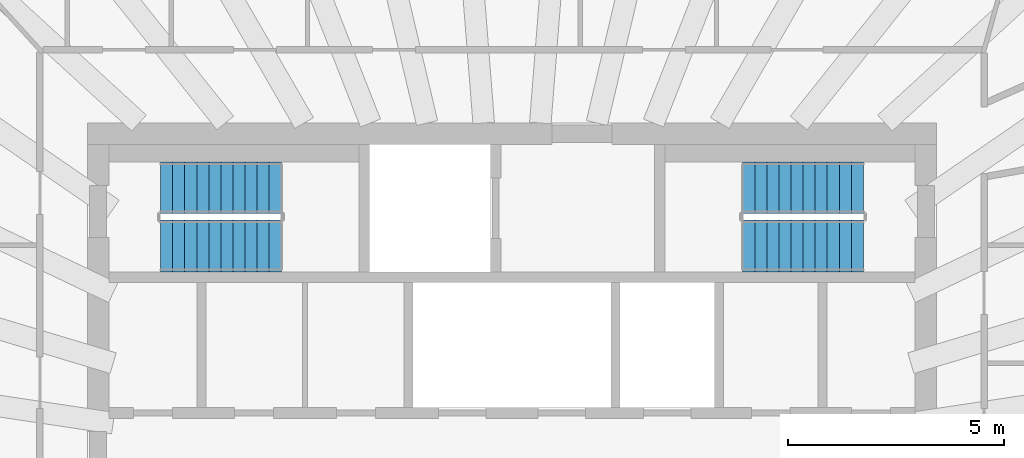
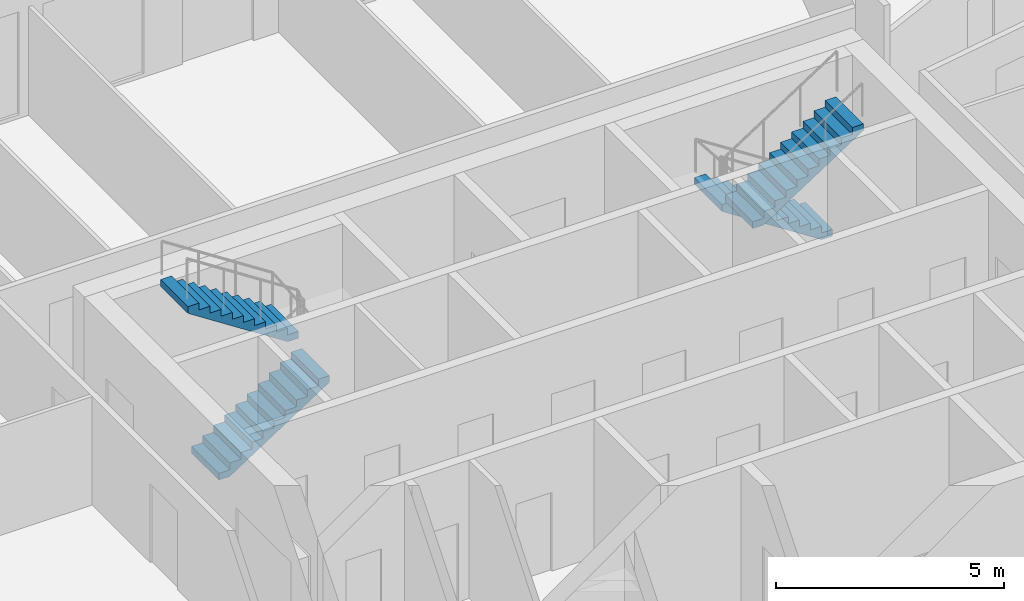
# One storey, part 8 of 13: 4 stair flights, 2 elements without a shape of their own.
"""IFC4 building model written with IfcOpenShell, lengths in metres."""

from ifc_helpers import new_model, si_unit, direction, frame, origin, place, context, subcontext, project, spatial, polyline, outline, extrude, material, layer, layer_set, type_object, element, aggregate, save


model = new_model("IFC4")

# Units and contexts
model_context = context("Model", 3, precision=1e-05, world=origin(), true_north=direction((0.0, 1.0)))
body_context = subcontext(model_context, "Body", "Model", "MODEL_VIEW")
ifc_project = project(units=[si_unit("LENGTHUNIT", "METRE"), si_unit("AREAUNIT", "SQUARE_METRE"), si_unit("VOLUMEUNIT", "CUBIC_METRE"), si_unit("PLANEANGLEUNIT", "RADIAN"), si_unit("MASSUNIT", "GRAM", prefix="KILO")], contexts=[model_context])

# Site, building, storey
site_placement = place(None, origin())
site = spatial("IfcSite", under=ifc_project, at=site_placement, CompositionType="ELEMENT")
building_placement = place(site_placement, origin())
building = spatial("IfcBuilding", under=site, at=building_placement, Name="Frailejon Research Tower", CompositionType="ELEMENT")
storey_placement = place(building_placement, frame((0.0, 0.0, 263.0)))
storey = spatial("IfcBuildingStorey", under=building, at=storey_placement, Name="L57", CompositionType="ELEMENT", Elevation=263.0)

# Stair, stair flights
ifc_material_1 = material(Name="Concrete C50/60", Category="concrete")
stair_type = type_object("IfcStairType", Name="Exit stair 22 risers", PredefinedType="HALF_TURN_STAIR", material=ifc_material_1)
stair_1_placement = place(storey_placement, origin())
stair_1 = element("IfcStair", 1, at=stair_1_placement, inside=storey, type_object=stair_type, Name="L57 Exit stair ST1", PredefinedType="HALF_TURN_STAIR")
ifc_material_2 = material(Name="Concrete C50/60", Category="concrete")
ifc_layer = layer(ifc_material_2, 0.14990234375)
ifc_layer_set = layer_set([ifc_layer], Name="Stair flight 11 risers")
stair_flight_type = type_object("IfcStairFlightType", Name="Stair flight 11 risers", PredefinedType="STRAIGHT", material=ifc_layer_set)
stair_flight_1_placement = place(storey_placement, frame((-8.14990234375, 5.5, 0.0), z_axis=(0.0, 0.0, 1.0), x_axis=(1.0, 0.0, 0.0)))
stair_flight_1 = element("IfcStairFlight", 2, at=stair_flight_1_placement, type_object=stair_flight_type, Name="ST1 flight 1", NumberOfRisers=11, NumberOfTreads=10, PredefinedType="STRAIGHT", RiserHeight=0.181818182, TreadLength=0.28, context=body_context, shape_type="SweptSolid", body=[
    extrude(outline(polyline([(0.0, 0.0), (0.0, 0.181884765625), (0.280029296875, 0.181884765625), (0.280029296875, 0.363525390625), (0.56005859375, 0.363525390625), (0.56005859375, 0.54541015625), (0.840087890625, 0.54541015625), (0.840087890625, 0.727294921875), (1.1201171875, 0.727294921875), (1.1201171875, 0.9091796875), (1.39990234375, 0.9091796875), (1.39990234375, 1.0908203125), (1.679931640625, 1.0908203125), (1.679931640625, 1.272705078125), (1.9599609375, 1.272705078125), (1.9599609375, 1.45458984375), (2.239990234375, 1.45458984375), (2.239990234375, 1.636474609375), (2.52001953125, 1.636474609375), (2.52001953125, 1.818115234375), (2.800048828125, 1.818115234375), (2.800048828125, 2.0), (2.800048828125, 1.639404296875), (0.275146484375, 0.0), (0.0, 0.0)])), frame((0.0, 0.60009765625, 0.0), z_axis=(0.0, -1.0, 0.0), x_axis=(1.0, 0.0, 0.0)), (0.0, 0.0, 1.0), 1.199951171875),
])
stair_flight_2_placement = place(storey_placement, frame((-5.35009765625, 6.85009765625, 2.0), z_axis=(0.0, 0.0, 1.0), x_axis=(-1.0, 0.0, 0.0)))
stair_flight_2 = element("IfcStairFlight", 3, at=stair_flight_2_placement, type_object=stair_flight_type, Name="ST1 flight 2", NumberOfRisers=11, NumberOfTreads=10, PredefinedType="STRAIGHT", RiserHeight=0.181818182, TreadLength=0.28, context=body_context, shape_type="SweptSolid", body=[
    extrude(outline(polyline([(0.0, 0.0), (0.0, 0.181884765625), (0.280029296875, 0.181884765625), (0.280029296875, 0.363525390625), (0.56005859375, 0.363525390625), (0.56005859375, 0.54541015625), (0.840087890625, 0.54541015625), (0.840087890625, 0.727294921875), (1.1201171875, 0.727294921875), (1.1201171875, 0.9091796875), (1.39990234375, 0.9091796875), (1.39990234375, 1.0908203125), (1.679931640625, 1.0908203125), (1.679931640625, 1.272705078125), (1.9599609375, 1.272705078125), (1.9599609375, 1.45458984375), (2.239990234375, 1.45458984375), (2.239990234375, 1.636474609375), (2.52001953125, 1.636474609375), (2.52001953125, 1.818115234375), (2.800048828125, 1.818115234375), (2.800048828125, 2.0), (2.800048828125, 1.639404296875), (0.275146484375, 0.0), (0.0, 0.0)])), frame((0.0, 0.60009765625, 0.0), z_axis=(0.0, -1.0, 0.0), x_axis=(1.0, 0.0, 0.0)), (0.0, 0.0, 1.0), 1.199951171875),
])
aggregate(stair_1, [stair_flight_1, stair_flight_2])

stair_2_placement = place(storey_placement, origin())
stair_2 = element("IfcStair", 4, at=stair_2_placement, inside=storey, type_object=stair_type, Name="L57 Exit stair ST3", PredefinedType="HALF_TURN_STAIR")
stair_flight_3_placement = place(storey_placement, frame((8.14990234375, 6.85009765625, 0.0), z_axis=(0.0, 0.0, 1.0), x_axis=(-1.0, 0.0, 0.0)))
stair_flight_3 = element("IfcStairFlight", 5, at=stair_flight_3_placement, type_object=stair_flight_type, Name="ST3 flight 1", NumberOfRisers=11, NumberOfTreads=10, PredefinedType="STRAIGHT", RiserHeight=0.181818182, TreadLength=0.28, context=body_context, shape_type="SweptSolid", body=[
    extrude(outline(polyline([(0.0, 0.0), (0.0, 0.181884765625), (0.280029296875, 0.181884765625), (0.280029296875, 0.363525390625), (0.56005859375, 0.363525390625), (0.56005859375, 0.54541015625), (0.840087890625, 0.54541015625), (0.840087890625, 0.727294921875), (1.1201171875, 0.727294921875), (1.1201171875, 0.9091796875), (1.39990234375, 0.9091796875), (1.39990234375, 1.0908203125), (1.679931640625, 1.0908203125), (1.679931640625, 1.272705078125), (1.9599609375, 1.272705078125), (1.9599609375, 1.45458984375), (2.239990234375, 1.45458984375), (2.239990234375, 1.636474609375), (2.52001953125, 1.636474609375), (2.52001953125, 1.818115234375), (2.800048828125, 1.818115234375), (2.800048828125, 2.0), (2.800048828125, 1.639404296875), (0.275146484375, 0.0), (0.0, 0.0)])), frame((0.0, 0.60009765625, 0.0), z_axis=(0.0, -1.0, 0.0), x_axis=(1.0, 0.0, 0.0)), (0.0, 0.0, 1.0), 1.199951171875),
])
stair_flight_4_placement = place(storey_placement, frame((5.35009765625, 5.5, 2.0), z_axis=(0.0, 0.0, 1.0), x_axis=(1.0, 0.0, 0.0)))
stair_flight_4 = element("IfcStairFlight", 6, at=stair_flight_4_placement, type_object=stair_flight_type, Name="ST3 flight 2", NumberOfRisers=11, NumberOfTreads=10, PredefinedType="STRAIGHT", RiserHeight=0.181818182, TreadLength=0.28, context=body_context, shape_type="SweptSolid", body=[
    extrude(outline(polyline([(0.0, 0.0), (0.0, 0.181884765625), (0.280029296875, 0.181884765625), (0.280029296875, 0.363525390625), (0.56005859375, 0.363525390625), (0.56005859375, 0.54541015625), (0.840087890625, 0.54541015625), (0.840087890625, 0.727294921875), (1.1201171875, 0.727294921875), (1.1201171875, 0.9091796875), (1.39990234375, 0.9091796875), (1.39990234375, 1.0908203125), (1.679931640625, 1.0908203125), (1.679931640625, 1.272705078125), (1.9599609375, 1.272705078125), (1.9599609375, 1.45458984375), (2.239990234375, 1.45458984375), (2.239990234375, 1.636474609375), (2.52001953125, 1.636474609375), (2.52001953125, 1.818115234375), (2.800048828125, 1.818115234375), (2.800048828125, 2.0), (2.800048828125, 1.639404296875), (0.275146484375, 0.0), (0.0, 0.0)])), frame((0.0, 0.60009765625, 0.0), z_axis=(0.0, -1.0, 0.0), x_axis=(1.0, 0.0, 0.0)), (0.0, 0.0, 1.0), 1.199951171875),
])
aggregate(stair_2, [stair_flight_3, stair_flight_4])

save(model, "model.ifc")
